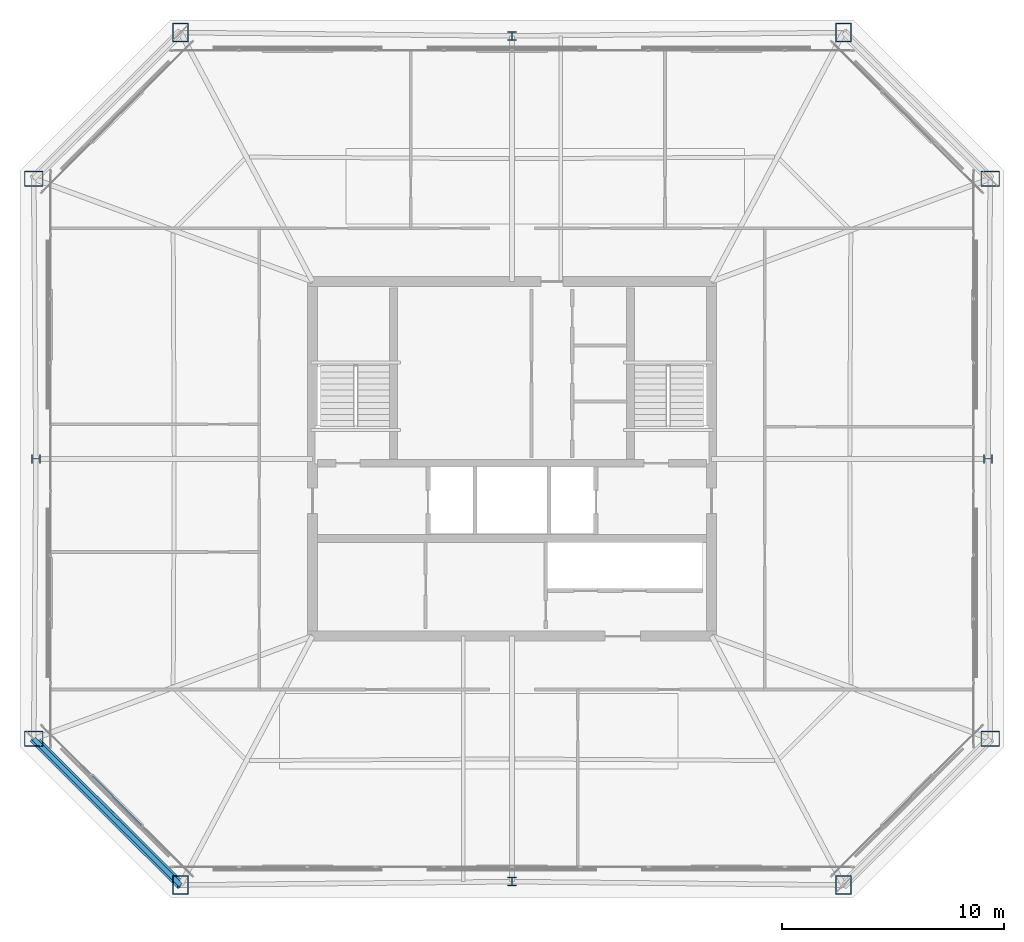
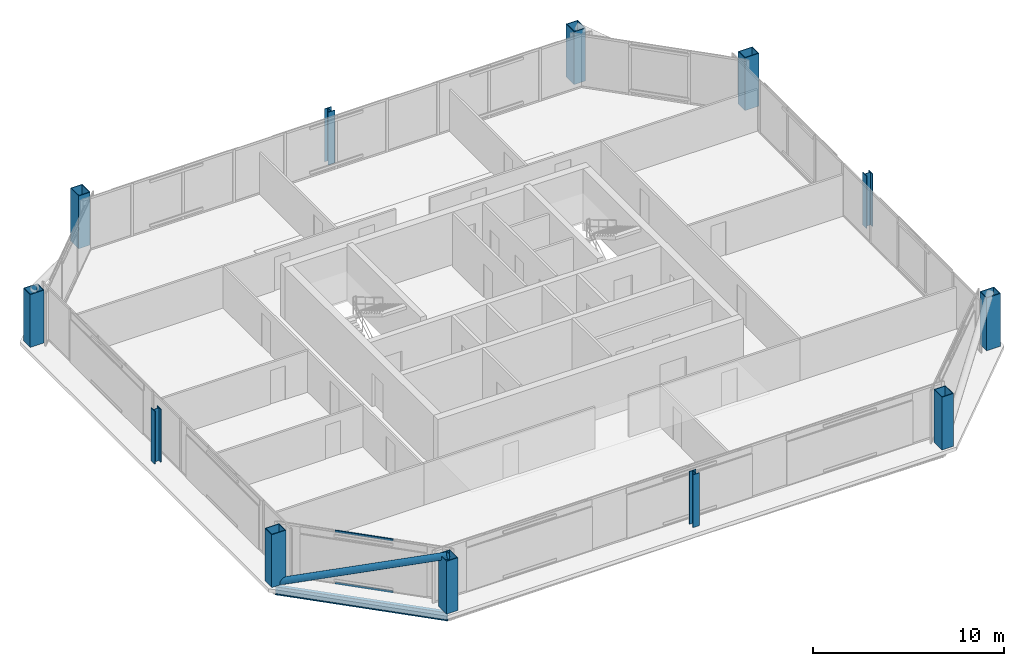
# One storey, part 1 of 39: 12 columns, 3 members, 1 beam, 1 element without a shape of its own.
"""IFC4 building model written with IfcOpenShell, lengths in metres."""

from ifc_helpers import new_model, si_unit, direction, frame, origin, origin_2d, place, context, subcontext, project, spatial, hollow_rectangle, hollow_circle, i_section, extrude, material, layer, layer_set, material_profile, profile_set, type_object, element, aggregate, save


model = new_model("IFC4")

# Units and contexts
model_context = context("Model", 3, precision=1e-05, world=origin(), true_north=direction((0.0, 1.0)))
body_context = subcontext(model_context, "Body", "Model", "MODEL_VIEW")
ifc_project = project(units=[si_unit("LENGTHUNIT", "METRE"), si_unit("AREAUNIT", "SQUARE_METRE"), si_unit("VOLUMEUNIT", "CUBIC_METRE"), si_unit("PLANEANGLEUNIT", "RADIAN"), si_unit("MASSUNIT", "GRAM", prefix="KILO")], contexts=[model_context])

# Site, building, storey
site_placement = place(None, origin())
site = spatial("IfcSite", under=ifc_project, at=site_placement, CompositionType="ELEMENT")
building_placement = place(site_placement, origin())
building = spatial("IfcBuilding", under=site, at=building_placement, Name="Caelvoria Tower", CompositionType="ELEMENT")
storey_placement = place(building_placement, frame((0.0, 0.0, 198.60009765625)))
storey = spatial("IfcBuildingStorey", under=building, at=storey_placement, Name="L52", CompositionType="ELEMENT", Elevation=198.60009765625)

# Columns
ifc_material_1 = material(Name="Structural Steel ASTM A572 Gr.50", Category="steel")
ifc_material_profile_1 = material_profile(ifc_material_1, hollow_rectangle(XDim=0.699951171875, YDim=0.85009765625, WallThickness=0.0400390625, at=origin_2d()), Name="Structural Steel ASTM A572 Gr.50")
ifc_profile_set_1 = profile_set([ifc_material_profile_1], Name="BOX850X700X40 - Structural Steel ASTM A572 Gr.50")
column_type_1 = type_object("IfcColumnType", Name="Mega Box Column 850x700x40", PredefinedType="COLUMN", material=ifc_profile_set_1)
for number, where, z_axis, x_axis, name in (
    (1, (31.0419921875, 12.768310546875, 0.0), (0.0, 0.0, 1.0), (1.0, 0.0, 0.0), "Perimeter Megaframe Column L52-P00"),
    (2, (60.9580078125, 12.768310546875, 0.0), (0.0, 0.0, 1.0), (1.0, 0.0, 0.0), "Perimeter Megaframe Column L52-P02"),
    (3, (67.57861328125, 19.36376953125, 0.0), (0.0, 0.0, 1.0), (0.0, 1.0, 0.0), "Perimeter Megaframe Column L52-P03"),
    (4, (67.57861328125, 44.63623046875, 0.0), (0.0, 0.0, 1.0), (0.0, 1.0, 0.0), "Perimeter Megaframe Column L52-P05"),
    (5, (60.9580078125, 51.231689453125, 0.0), (0.0, 0.0, 1.0), (1.0, 0.0, 0.0), "Perimeter Megaframe Column L52-P06"),
    (6, (31.0419921875, 51.231689453125, 0.0), (0.0, 0.0, 1.0), (1.0, 0.0, 0.0), "Perimeter Megaframe Column L52-P08"),
    (7, (24.42138671875, 44.63623046875, 0.0), (0.0, 0.0, 1.0), (0.0, 1.0, 0.0), "Perimeter Megaframe Column L52-P09"),
    (8, (24.42138671875, 19.36376953125, 0.0), (0.0, 0.0, 1.0), (0.0, 1.0, 0.0), "Perimeter Megaframe Column L52-P11"),
):
    element("IfcColumn", number, at=place(storey_placement, frame(where, z_axis=z_axis, x_axis=x_axis)), inside=storey, type_object=column_type_1, Name=name, PredefinedType="COLUMN", context=body_context, shape_type="SweptSolid", body=[
        extrude(hollow_rectangle(XDim=0.699951171875, YDim=0.85009765625, WallThickness=0.0400390625, at=origin_2d()), origin(), (0.0, 0.0, 1.0), 3.372802734375),
    ])
ifc_material_2 = material(Name="Structural Steel ASTM A992 Gr.50", Category="steel")
ifc_material_profile_2 = material_profile(ifc_material_2, i_section(OverallWidth=0.40087890625, OverallDepth=0.39892578125, WebThickness=0.02490234375, FlangeThickness=0.03955078125, FilletRadius=0.02490234375, at=origin_2d()), Name="Structural Steel ASTM A992 Gr.50")
ifc_profile_set_2 = profile_set([ifc_material_profile_2], Name="W360X314 - Structural Steel ASTM A992 Gr.50")
column_type_2 = type_object("IfcColumnType", Name="Upper Frame Column W360X314", PredefinedType="COLUMN", material=ifc_profile_set_2)
for number, where, z_axis, x_axis, name in (
    (9, (46.0, 12.919921875, 0.0), (0.0, 0.0, 1.0), (1.0, 0.0, 0.0), "Perimeter Megaframe Column L52-P01"),
    (10, (67.47998046875, 32.0, 0.0), (0.0, 0.0, 1.0), (0.0, 1.0, 0.0), "Perimeter Megaframe Column L52-P04"),
    (11, (46.0, 51.080078125, 0.0), (0.0, 0.0, 1.0), (1.0, 0.0, 0.0), "Perimeter Megaframe Column L52-P07"),
    (12, (24.52001953125, 32.0, 0.0), (0.0, 0.0, 1.0), (0.0, 1.0, 0.0), "Perimeter Megaframe Column L52-P10"),
):
    element("IfcColumn", number, at=place(storey_placement, frame(where, z_axis=z_axis, x_axis=x_axis)), inside=storey, type_object=column_type_2, Name=name, PredefinedType="COLUMN", context=body_context, shape_type="SweptSolid", body=[
        extrude(i_section(OverallWidth=0.40087890625, OverallDepth=0.39892578125, WebThickness=0.02490234375, FlangeThickness=0.03955078125, FilletRadius=0.02490234375, at=origin_2d()), origin(), (0.0, 0.0, 1.0), 3.372802734375),
    ])

# Curtain wall, members
ifc_material_3 = material(Name="Anodised Bronze Aluminium and Low-E Glass", Category="aluminium")
ifc_layer = layer(ifc_material_3, 0.175048828125, Name="Anodised Bronze Aluminium and Low-E Glass")
ifc_layer_set = layer_set([ifc_layer], Name="CW System 4 High-Zone Tapered Crystal Facade - Anodised Bronze Aluminium and Low-E Glass")
curtain_wall_type = type_object("IfcCurtainWallType", Name="CW System 4 High-Zone Tapered Crystal Facade", PredefinedType="NOTDEFINED", material=ifc_layer_set)
curtain_wall_placement = place(storey_placement, origin())
curtain_wall = element("IfcCurtainWall", 13, at=curtain_wall_placement, inside=storey, type_object=curtain_wall_type, Name="CW-04 Curtain Wall L52-E7", PredefinedType="NOTDEFINED")
ifc_material_4 = material(Name="Anodised Bronze Architectural Aluminium", Category="aluminium")
ifc_material_profile_3 = material_profile(ifc_material_4, hollow_rectangle(XDim=0.06494140625, YDim=0.1298828125, WallThickness=0.00341796875, at=origin_2d()), Name="Anodised Bronze Architectural Aluminium")
ifc_profile_set_3 = profile_set([ifc_material_profile_3], Name="CW_TRAN_65X130 - Anodised Bronze Architectural Aluminium")
member_type_1 = type_object("IfcMemberType", Name="Curtain Wall Transom 65x130 Bronze Aluminium", PredefinedType="USERDEFINED", material=ifc_profile_set_3)
member_1_placement = place(storey_placement, frame((27.0654296875, 17.68603515625, 0.032470703125), z_axis=(0.707106781187, -0.707106781187, 0.0), x_axis=(0.707106781187, 0.707106781187, 0.0)))
member_1 = element("IfcMember", 14, at=member_1_placement, type_object=member_type_1, Name="CW-04 transom 2.1", ObjectType="TRANSOM", PredefinedType="USERDEFINED", context=body_context, shape_type="SweptSolid", body=[
    extrude(hollow_rectangle(XDim=0.06494140625, YDim=0.1298828125, WallThickness=0.00341796875, at=origin_2d()), origin(), (0.0, 0.0, 1.0), 3.140625),
])
member_2_placement = place(storey_placement, frame((27.0654296875, 17.68603515625, 3.34228515625), z_axis=(0.707106781187, -0.707106781187, 0.0), x_axis=(0.707106781187, 0.707106781187, 0.0)))
member_2 = element("IfcMember", 15, at=member_2_placement, type_object=member_type_1, Name="CW-04 transom 2.2", ObjectType="TRANSOM", PredefinedType="USERDEFINED", context=body_context, shape_type="SweptSolid", body=[
    extrude(hollow_rectangle(XDim=0.06494140625, YDim=0.1298828125, WallThickness=0.00341796875, at=origin_2d()), origin(), (0.0, 0.0, 1.0), 3.140625),
])
aggregate(curtain_wall, [member_1, member_2])

# Member
ifc_material_profile_4 = material_profile(ifc_material_1, hollow_circle(Radius=0.202880859375, WallThickness=0.01611328125, at=origin_2d()), Name="Structural Steel ASTM A572 Gr.50")
ifc_profile_set_4 = profile_set([ifc_material_profile_4], Name="CHS406X16 - Structural Steel ASTM A572 Gr.50")
member_type_2 = type_object("IfcMemberType", Name="Upper Perimeter Mega Brace CHS406X16", PredefinedType="BRACE", material=ifc_profile_set_4)
member_3_placement = place(storey_placement, frame((24.42138671875, 19.36376953125, 0.0), z_axis=(0.666328317431, -0.663797459082, 0.339675590389), x_axis=(0.705760076664, 0.708450925744, 0.0)))
element("IfcMember", 16, at=member_3_placement, inside=storey, type_object=member_type_2, Name="Perimeter Chamfer Mega Brace L52 SW", PredefinedType="BRACE", context=body_context, shape_type="SweptSolid", body=[
    extrude(hollow_circle(Radius=0.202880859375, WallThickness=0.01611328125, at=origin_2d()), origin(), (0.0, 0.0, 1.0), 9.93603515625),
])

# Beam
ifc_material_profile_5 = material_profile(ifc_material_2, i_section(OverallWidth=0.208984375, OverallDepth=0.532958984375, WebThickness=0.01025390625, FlangeThickness=0.015625, FilletRadius=0.01611328125, at=origin_2d()), Name="Structural Steel ASTM A992 Gr.50")
ifc_profile_set_5 = profile_set([ifc_material_profile_5], Name="W530X92 - Structural Steel ASTM A992 Gr.50")
beam_type = type_object("IfcBeamType", Name="Upper Zone Spandrel W530X92", PredefinedType="BEAM", material=ifc_profile_set_5)
beam_placement = place(storey_placement, frame((24.42138671875, 19.36376953125, -0.49169921875), z_axis=(0.708450925744, -0.705760076664, 0.0), x_axis=(0.705760076664, 0.708450925744, 0.0)))
element("IfcBeam", 17, at=beam_placement, inside=storey, type_object=beam_type, Name="Perimeter Spandrel Girder L52-11", PredefinedType="BEAM", context=body_context, shape_type="SweptSolid", body=[
    extrude(i_section(OverallWidth=0.208984375, OverallDepth=0.532958984375, WebThickness=0.01025390625, FlangeThickness=0.015625, FilletRadius=0.01611328125, at=origin_2d()), origin(), (0.0, 0.0, 1.0), 9.34521484375),
])

save(model, "model.ifc")
